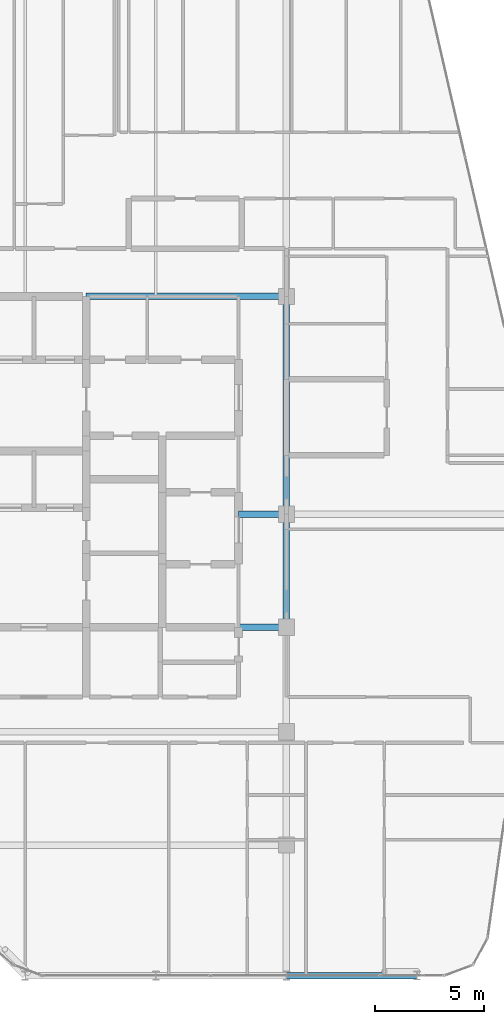
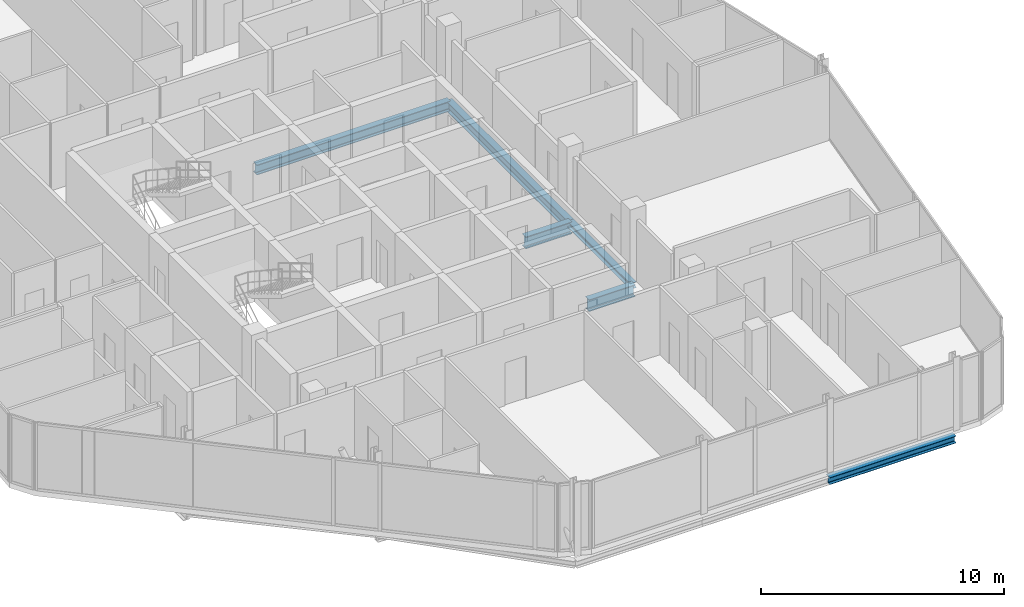
# One storey, part 13 of 31: 6 beams.
"""IFC4 building model written with IfcOpenShell, lengths in metres."""

from ifc_helpers import new_model, si_unit, direction, frame, origin, origin_2d, place, context, subcontext, project, spatial, i_section, extrude, material, material_profile, profile_set, type_object, element, save


model = new_model("IFC4")

# Units and contexts
model_context = context("Model", 3, precision=1e-05, world=origin(), true_north=direction((0.0, 1.0)))
body_context = subcontext(model_context, "Body", "Model", "MODEL_VIEW")
ifc_project = project(units=[si_unit("LENGTHUNIT", "METRE"), si_unit("AREAUNIT", "SQUARE_METRE"), si_unit("VOLUMEUNIT", "CUBIC_METRE"), si_unit("PLANEANGLEUNIT", "RADIAN"), si_unit("MASSUNIT", "GRAM", prefix="KILO")], contexts=[model_context])

# Site, building, storey
site_placement = place(None, origin())
site = spatial("IfcSite", under=ifc_project, at=site_placement, CompositionType="ELEMENT")
building_placement = place(site_placement, origin())
building = spatial("IfcBuilding", under=site, at=building_placement, Name="Keshet Zoharim Tower", CompositionType="ELEMENT")
storey_placement = place(building_placement, frame((0.0, 0.0, 276.89990234375)))
storey = spatial("IfcBuildingStorey", under=building, at=storey_placement, Name="L69", CompositionType="ELEMENT", Elevation=276.89990234375)

# Beams
ifc_material = material(Name="Steel S355", Category="steel")
ifc_material_profile_1 = material_profile(ifc_material, i_section(OverallWidth=0.300048828125, OverallDepth=0.60009765625, WebThickness=0.015380859375, FlangeThickness=0.030029296875, FilletRadius=0.027099609375, at=origin_2d()), Name="HEB600")
ifc_profile_set_1 = profile_set([ifc_material_profile_1], Name="Steel S355")
beam_type_1 = type_object("IfcBeamType", Name="BM-CLK-HB600", PredefinedType="BEAM", material=ifc_profile_set_1)
for number, where, z_axis, x_axis, name in (
    (1, (30.800048828125, 22.699951171875, -0.60986328125), (1.0, 0.0, 0.0), (0.0, 1.0, 0.0), "L69 Core Wall Link Girder 01"),
    (2, (30.800048828125, 27.89990234375, -0.60986328125), (1.0, 0.0, 0.0), (0.0, 1.0, 0.0), "L69 Core Wall Link Girder 02"),
):
    element("IfcBeam", number, at=place(storey_placement, frame(where, z_axis=z_axis, x_axis=x_axis)), inside=storey, type_object=beam_type_1, Name=name, PredefinedType="BEAM", context=body_context, shape_type="SweptSolid", body=[
        extrude(i_section(OverallWidth=0.300048828125, OverallDepth=0.60009765625, WebThickness=0.015380859375, FlangeThickness=0.030029296875, FilletRadius=0.027099609375, at=origin_2d()), origin(), (0.0, 0.0, 1.0), 2.199951171875),
    ])
ifc_material_profile_2 = material_profile(ifc_material, i_section(OverallWidth=0.300048828125, OverallDepth=0.5, WebThickness=0.014404296875, FlangeThickness=0.028076171875, FilletRadius=0.027099609375, at=origin_2d()), Name="HEB500")
ifc_profile_set_2 = profile_set([ifc_material_profile_2], Name="Steel S355")
beam_type_2 = type_object("IfcBeamType", Name="BM-MED-HB500", PredefinedType="BEAM", material=ifc_profile_set_2)
beam_1_placement = place(storey_placement, frame((23.800048828125, 37.89990234375, -0.559814453125), z_axis=(1.0, 0.0, 0.0), x_axis=(0.0, 1.0, 0.0)))
element("IfcBeam", 3, at=beam_1_placement, inside=storey, type_object=beam_type_2, Name="L69 Primary Girder X-009", PredefinedType="BEAM", context=body_context, shape_type="SweptSolid", body=[
    extrude(i_section(OverallWidth=0.300048828125, OverallDepth=0.5, WebThickness=0.014404296875, FlangeThickness=0.028076171875, FilletRadius=0.027099609375, at=origin_2d()), origin(), (0.0, 0.0, 1.0), 9.199951171875),
])
beam_2_placement = place(storey_placement, frame((33.0, 27.89990234375, -0.559814453125), z_axis=(0.0, 1.0, 0.0), x_axis=(-1.0, 0.0, 0.0)))
element("IfcBeam", 4, at=beam_2_placement, inside=storey, type_object=beam_type_2, Name="L69 Primary Girder Y-008", PredefinedType="BEAM", context=body_context, shape_type="SweptSolid", body=[
    extrude(i_section(OverallWidth=0.300048828125, OverallDepth=0.5, WebThickness=0.014404296875, FlangeThickness=0.028076171875, FilletRadius=0.027099609375, at=origin_2d()), origin(), (0.0, 0.0, 1.0), 10.0),
])
ifc_material_profile_3 = material_profile(ifc_material, i_section(OverallWidth=0.300048828125, OverallDepth=0.2900390625, WebThickness=0.008544921875, FlangeThickness=0.013916015625, FilletRadius=0.027099609375, at=origin_2d()), Name="HEA300")
ifc_profile_set_3 = profile_set([ifc_material_profile_3], Name="Steel S355")
beam_type_3 = type_object("IfcBeamType", Name="BM-PRI-HA300", PredefinedType="BEAM", material=ifc_profile_set_3)
beam_3_placement = place(storey_placement, frame((33.0, 22.699951171875, -0.454833984375), z_axis=(0.0, 1.0, 0.0), x_axis=(-1.0, 0.0, 0.0)))
element("IfcBeam", 5, at=beam_3_placement, inside=storey, type_object=beam_type_3, Name="L69 Primary Girder Y-007", PredefinedType="BEAM", context=body_context, shape_type="SweptSolid", body=[
    extrude(i_section(OverallWidth=0.300048828125, OverallDepth=0.2900390625, WebThickness=0.008544921875, FlangeThickness=0.013916015625, FilletRadius=0.027099609375, at=origin_2d()), origin(), (0.0, 0.0, 1.0), 5.199951171875),
])
ifc_material_profile_4 = material_profile(ifc_material, i_section(OverallWidth=0.300048828125, OverallDepth=0.35009765625, WebThickness=0.010009765625, FlangeThickness=0.017578125, FilletRadius=0.027099609375, at=origin_2d()), Name="HEA360")
ifc_profile_set_4 = profile_set([ifc_material_profile_4], Name="Steel S355")
beam_type_4 = type_object("IfcBeamType", Name="BM-PRI-HA360", PredefinedType="BEAM", material=ifc_profile_set_4)
beam_4_placement = place(storey_placement, frame((33.0, 6.699951171875, -0.48486328125), z_axis=(1.0, 0.0, 0.0), x_axis=(0.0, 1.0, 0.0)))
element("IfcBeam", 6, at=beam_4_placement, inside=storey, type_object=beam_type_4, Name="L69 Primary Girder X-003", PredefinedType="BEAM", context=body_context, shape_type="SweptSolid", body=[
    extrude(i_section(OverallWidth=0.300048828125, OverallDepth=0.35009765625, WebThickness=0.010009765625, FlangeThickness=0.017578125, FilletRadius=0.027099609375, at=origin_2d()), origin(), (0.0, 0.0, 1.0), 6.0),
])

save(model, "model.ifc")
